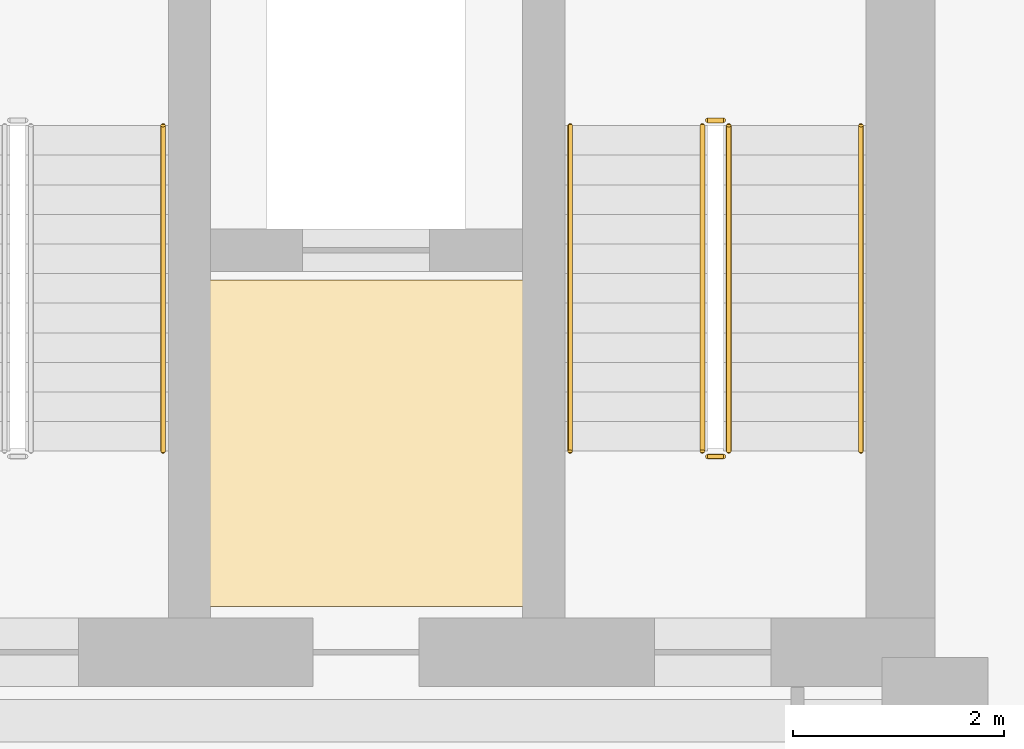
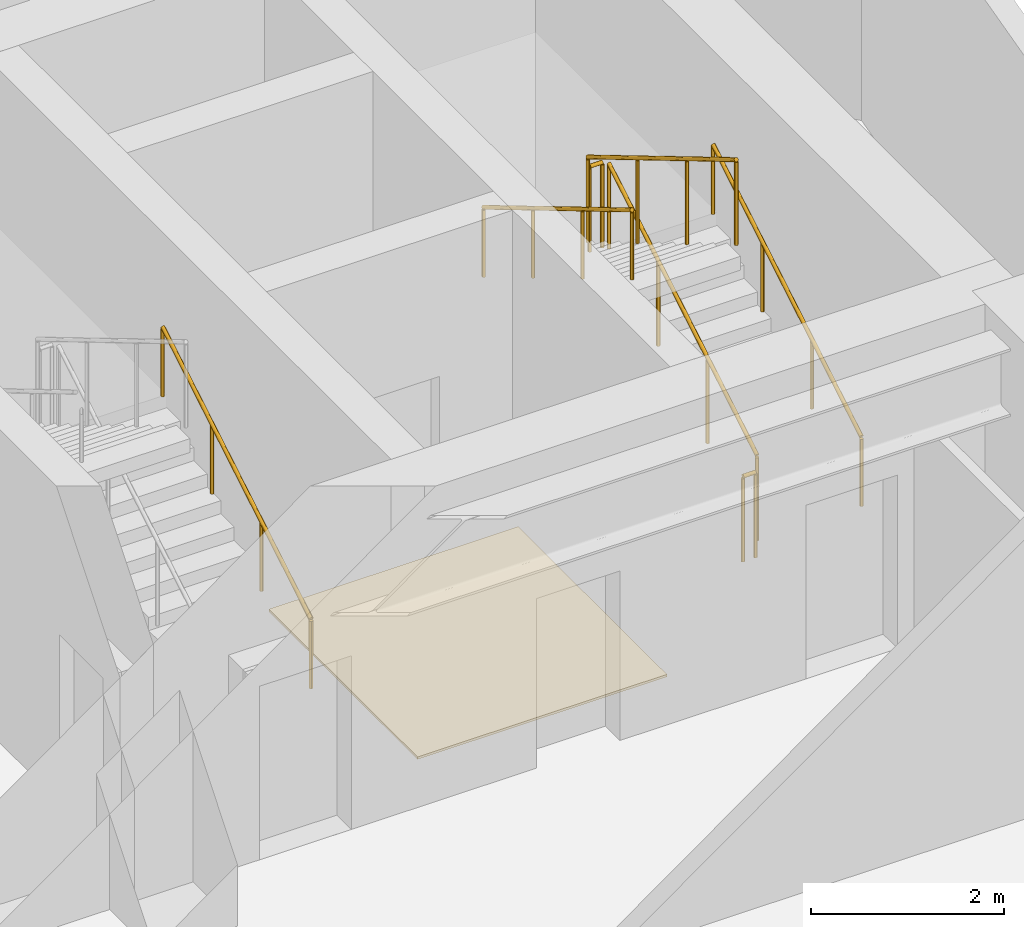
# One storey, part 26 of 26: 7 railings, 1 covering.
"""IFC4 building model written with IfcOpenShell, lengths in metres."""

from ifc_helpers import new_model, si_unit, direction, frame, origin, origin_2d, place, context, subcontext, project, spatial, polyline, circle, outline, extrude, material, layer, layer_set, type_object, element, save


model = new_model("IFC4")

# Units and contexts
model_context = context("Model", 3, precision=1e-05, world=origin(), true_north=direction((0.0, 1.0)))
body_context = subcontext(model_context, "Body", "Model", "MODEL_VIEW")
ifc_project = project(units=[si_unit("LENGTHUNIT", "METRE"), si_unit("AREAUNIT", "SQUARE_METRE"), si_unit("VOLUMEUNIT", "CUBIC_METRE"), si_unit("PLANEANGLEUNIT", "RADIAN"), si_unit("MASSUNIT", "GRAM", prefix="KILO")], contexts=[model_context])

# Site, building, storey
site_placement = place(None, origin())
site = spatial("IfcSite", under=ifc_project, at=site_placement, CompositionType="ELEMENT")
building_placement = place(site_placement, origin())
building = spatial("IfcBuilding", under=site, at=building_placement, Name="Kravanh Interchange Tower", CompositionType="ELEMENT")
storey_placement = place(building_placement, frame((0.0, 0.0, 132.0)))
storey = spatial("IfcBuildingStorey", under=building, at=storey_placement, Name="L31", CompositionType="ELEMENT", Elevation=132.0)

# Covering
ifc_material_1 = material(Name="Cementitious Terrazzo Tile")
ifc_layer_1 = layer(ifc_material_1, 0.030029296875)
ifc_layer_set_1 = layer_set([ifc_layer_1], Name="Honed Terrazzo Lobby Flooring 30mm")
covering_type = type_object("IfcCoveringType", Name="Honed Terrazzo Lobby Flooring 30mm", PredefinedType="FLOORING", material=ifc_layer_set_1)
covering_placement = place(storey_placement, origin())
element("IfcCovering", 1, at=covering_placement, inside=storey, type_object=covering_type, Name="L31 Service Lift Lobby Floor Finish", PredefinedType="FLOORING", context=body_context, shape_type="SweptSolid", body=[
    extrude(outline(polyline([(59.6298828125, 41.52001953125), (62.6201171875, 41.52001953125), (62.6201171875, 38.429931640625), (59.6298828125, 38.429931640625), (59.6298828125, 41.52001953125)])), origin(), (0.0, 0.0, 1.0), 0.030029296875),
])

# Railings
ifc_material_2 = material(Name="Structural Steel S355", Category="steel")
ifc_layer_2 = layer(ifc_material_2, 0.050048828125)
ifc_layer_set_2 = layer_set([ifc_layer_2], Name="Stair Well Guardrail Structural Steel S355 1100mm")
railing_type_1 = type_object("IfcRailingType", Name="Stair Well Guardrail Structural Steel S355 1100mm", PredefinedType="GUARDRAIL", material=ifc_layer_set_2)
railing_1_placement = place(storey_placement, frame((64.550048828125, 39.89990234375, 0.166748046875)))
element("IfcRailing", 2, at=railing_1_placement, inside=storey, type_object=railing_type_1, Name="L31 ST1 stair guard 1", PredefinedType="GUARDRAIL", context=body_context, shape_type="SweptSolid", body=[
    extrude(circle(Radius=0.02392578125, at=origin_2d()), frame((0.0, 0.0, 1.076171875), z_axis=(0.0, 0.859308565015, 0.511457515432), x_axis=(-1.0, 0.0, 0.0)), (0.0, 0.0, 1.0), 3.58447265625),
    extrude(circle(Radius=0.02099609375, at=origin_2d()), origin(), (0.0, 0.0, 1.0), 1.052001953125),
    extrude(circle(Radius=0.02099609375, at=origin_2d()), frame((0.0, 1.026611328125, 0.611083984375)), (0.0, 0.0, 1.0), 1.052001953125),
    extrude(circle(Radius=0.02099609375, at=origin_2d()), frame((0.0, 2.053466796875, 1.22216796875)), (0.0, 0.0, 1.0), 1.052001953125),
    extrude(circle(Radius=0.02099609375, at=origin_2d()), frame((0.0, 3.080078125, 1.833251953125)), (0.0, 0.0, 1.0), 1.052001953125),
])
railing_2_placement = place(storey_placement, frame((64.5, 43.030029296875, 2.0)))
element("IfcRailing", 3, at=railing_2_placement, inside=storey, type_object=railing_type_1, Name="L31 ST1 stair guard 2", PredefinedType="GUARDRAIL", context=body_context, shape_type="SweptSolid", body=[
    extrude(circle(Radius=0.02392578125, at=origin_2d()), frame((0.0, 0.0, 1.076171875), z_axis=(-1.0, 0.0, 0.0), x_axis=(0.0, -1.0, 0.0)), (0.0, 0.0, 1.0), 0.14990234375),
    extrude(circle(Radius=0.02099609375, at=origin_2d()), origin(), (0.0, 0.0, 1.0), 1.052001953125),
    extrude(circle(Radius=0.02099609375, at=origin_2d()), frame((-0.14990234375, 0.0, 0.0)), (0.0, 0.0, 1.0), 1.052001953125),
])
railing_3_placement = place(storey_placement, frame((64.300048828125, 42.97998046875, 2.166748046875)))
element("IfcRailing", 4, at=railing_3_placement, inside=storey, type_object=railing_type_1, Name="L31 ST1 stair guard 3", PredefinedType="GUARDRAIL", context=body_context, shape_type="SweptSolid", body=[
    extrude(circle(Radius=0.02392578125, at=origin_2d()), frame((0.0, 0.0, 1.076171875), z_axis=(0.0, -0.859308565015, 0.511457515432), x_axis=(1.0, 0.0, 0.0)), (0.0, 0.0, 1.0), 3.58447265625),
    extrude(circle(Radius=0.02099609375, at=origin_2d()), origin(), (0.0, 0.0, 1.0), 1.052001953125),
    extrude(circle(Radius=0.02099609375, at=origin_2d()), frame((0.0, -1.026611328125, 0.611083984375)), (0.0, 0.0, 1.0), 1.052001953125),
    extrude(circle(Radius=0.02099609375, at=origin_2d()), frame((0.0, -2.053466796875, 1.22216796875)), (0.0, 0.0, 1.0), 1.052001953125),
    extrude(circle(Radius=0.02099609375, at=origin_2d()), frame((0.0, -3.080078125, 1.833251953125)), (0.0, 0.0, 1.0), 1.052001953125),
])
railing_4_placement = place(storey_placement, frame((64.5, 39.85009765625, 0.0)))
element("IfcRailing", 5, at=railing_4_placement, inside=storey, type_object=railing_type_1, Name="L31 ST1 stair guard 4", PredefinedType="GUARDRAIL", context=body_context, shape_type="SweptSolid", body=[
    extrude(circle(Radius=0.02392578125, at=origin_2d()), frame((0.0, 0.0, 1.076171875), z_axis=(-1.0, 0.0, 0.0), x_axis=(0.0, -1.0, 0.0)), (0.0, 0.0, 1.0), 0.14990234375),
    extrude(circle(Radius=0.02099609375, at=origin_2d()), origin(), (0.0, 0.0, 1.0), 1.052001953125),
    extrude(circle(Radius=0.02099609375, at=origin_2d()), frame((-0.14990234375, 0.0, 0.0)), (0.0, 0.0, 1.0), 1.052001953125),
])
ifc_material_3 = material(Name="Stainless Steel 304", Category="steel")
ifc_layer_3 = layer(ifc_material_3, 0.044921875)
ifc_layer_set_3 = layer_set([ifc_layer_3], Name="Tubular Stair Handrail Stainless 304 900mm")
railing_type_2 = type_object("IfcRailingType", Name="Tubular Stair Handrail Stainless 304 900mm", PredefinedType="HANDRAIL", material=ifc_layer_set_3)
railing_5_placement = place(storey_placement, frame((65.800048828125, 39.89990234375, 0.166748046875)))
element("IfcRailing", 6, at=railing_5_placement, inside=storey, type_object=railing_type_2, Name="L31 ST1 stair handrail 1", PredefinedType="HANDRAIL", context=body_context, shape_type="SweptSolid", body=[
    extrude(circle(Radius=0.02392578125, at=origin_2d()), frame((0.0, 0.0, 0.8759765625), z_axis=(0.0, 0.859308565015, 0.511457515432), x_axis=(-1.0, 0.0, 0.0)), (0.0, 0.0, 1.0), 3.58447265625),
    extrude(circle(Radius=0.02099609375, at=origin_2d()), origin(), (0.0, 0.0, 1.0), 0.851806640625),
    extrude(circle(Radius=0.02099609375, at=origin_2d()), frame((0.0, 1.026611328125, 0.611083984375)), (0.0, 0.0, 1.0), 0.851806640625),
    extrude(circle(Radius=0.02099609375, at=origin_2d()), frame((0.0, 2.053466796875, 1.22216796875)), (0.0, 0.0, 1.0), 0.851806640625),
    extrude(circle(Radius=0.02099609375, at=origin_2d()), frame((0.0, 3.080078125, 1.833251953125)), (0.0, 0.0, 1.0), 0.851806640625),
])
railing_6_placement = place(storey_placement, frame((63.050048828125, 42.97998046875, 2.166748046875)))
element("IfcRailing", 7, at=railing_6_placement, inside=storey, type_object=railing_type_2, Name="L31 ST1 stair handrail 2", PredefinedType="HANDRAIL", context=body_context, shape_type="SweptSolid", body=[
    extrude(circle(Radius=0.02392578125, at=origin_2d()), frame((0.0, 0.0, 0.8759765625), z_axis=(0.0, -0.859308565015, 0.511457515432), x_axis=(1.0, 0.0, 0.0)), (0.0, 0.0, 1.0), 3.58447265625),
    extrude(circle(Radius=0.02099609375, at=origin_2d()), origin(), (0.0, 0.0, 1.0), 0.851806640625),
    extrude(circle(Radius=0.02099609375, at=origin_2d()), frame((0.0, -1.026611328125, 0.611083984375)), (0.0, 0.0, 1.0), 0.851806640625),
    extrude(circle(Radius=0.02099609375, at=origin_2d()), frame((0.0, -2.053466796875, 1.22216796875)), (0.0, 0.0, 1.0), 0.851806640625),
    extrude(circle(Radius=0.02099609375, at=origin_2d()), frame((0.0, -3.080078125, 1.833251953125)), (0.0, 0.0, 1.0), 0.851806640625),
])
railing_7_placement = place(storey_placement, frame((59.199951171875, 39.89990234375, 0.166748046875)))
element("IfcRailing", 8, at=railing_7_placement, inside=storey, type_object=railing_type_2, Name="L31 ST2 stair handrail 1", PredefinedType="HANDRAIL", context=body_context, shape_type="SweptSolid", body=[
    extrude(circle(Radius=0.02392578125, at=origin_2d()), frame((0.0, 0.0, 0.8759765625), z_axis=(0.0, 0.859308565015, 0.511457515432), x_axis=(-1.0, 0.0, 0.0)), (0.0, 0.0, 1.0), 3.58447265625),
    extrude(circle(Radius=0.02099609375, at=origin_2d()), origin(), (0.0, 0.0, 1.0), 0.851806640625),
    extrude(circle(Radius=0.02099609375, at=origin_2d()), frame((0.0, 1.026611328125, 0.611083984375)), (0.0, 0.0, 1.0), 0.851806640625),
    extrude(circle(Radius=0.02099609375, at=origin_2d()), frame((0.0, 2.053466796875, 1.22216796875)), (0.0, 0.0, 1.0), 0.851806640625),
    extrude(circle(Radius=0.02099609375, at=origin_2d()), frame((0.0, 3.080078125, 1.833251953125)), (0.0, 0.0, 1.0), 0.851806640625),
])

save(model, "model.ifc")
